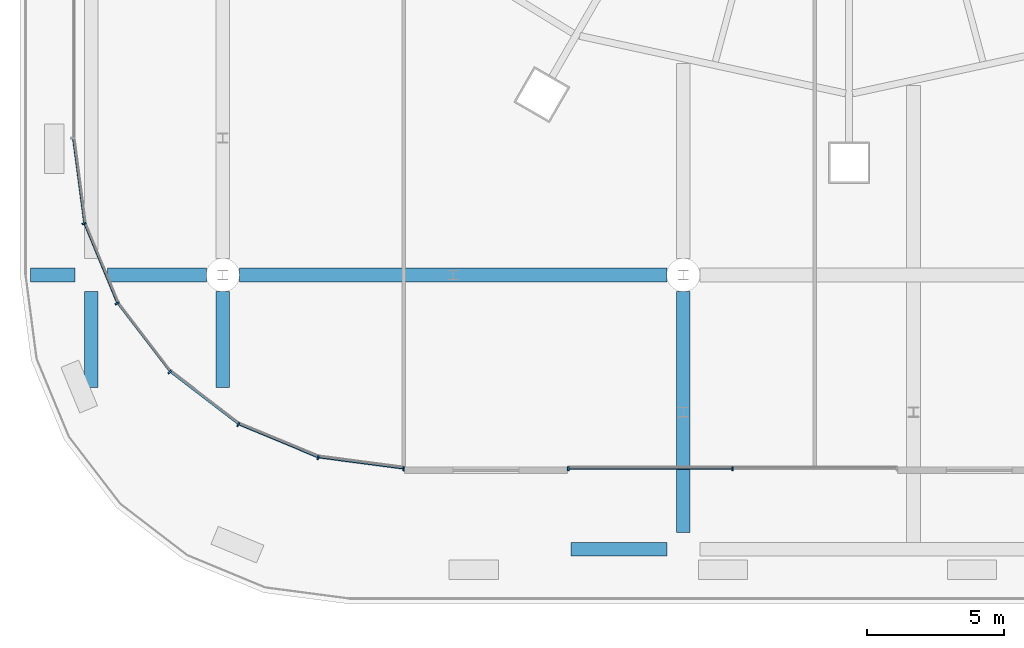
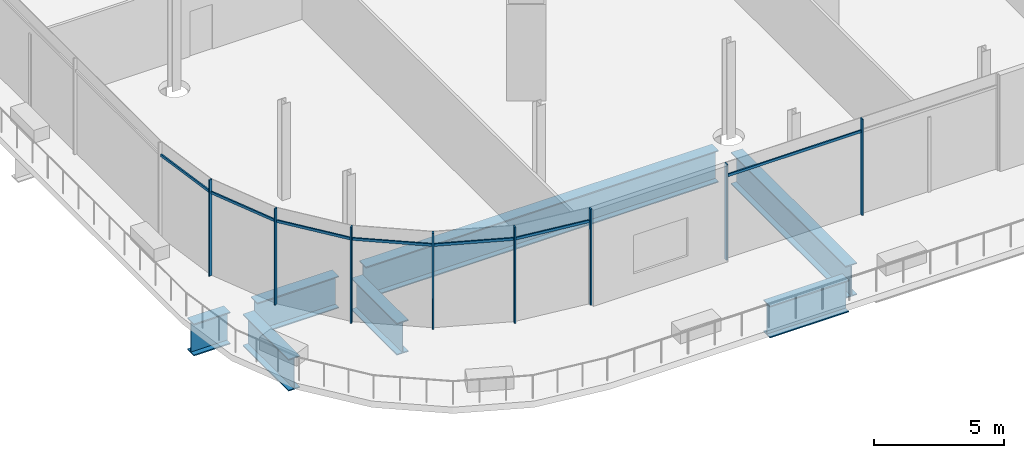
# One storey, part 11 of 56: 15 members, 7 beams, 1 element without a shape of its own.
"""IFC4 building model written with IfcOpenShell, lengths in metres."""

from ifc_helpers import new_model, si_unit, direction, frame, origin, origin_2d, place, context, subcontext, project, spatial, rectangle, i_section, extrude, material, material_profile, profile_set, type_object, element, aggregate, save


model = new_model("IFC4")

# Units and contexts
model_context = context("Model", 3, precision=1e-05, world=origin(), true_north=direction((0.0, 1.0)))
body_context = subcontext(model_context, "Body", "Model", "MODEL_VIEW")
ifc_project = project(units=[si_unit("LENGTHUNIT", "METRE"), si_unit("AREAUNIT", "SQUARE_METRE"), si_unit("VOLUMEUNIT", "CUBIC_METRE"), si_unit("PLANEANGLEUNIT", "RADIAN"), si_unit("MASSUNIT", "GRAM", prefix="KILO")], contexts=[model_context])

# Site, building, storey
site_placement = place(None, origin())
site = spatial("IfcSite", under=ifc_project, at=site_placement, CompositionType="ELEMENT")
building_placement = place(site_placement, origin())
building = spatial("IfcBuilding", under=site, at=building_placement, Name="Rimbun Link Towers", CompositionType="ELEMENT")
storey_placement = place(building_placement, frame((0.0, 0.0, 16.5)))
storey = spatial("IfcBuildingStorey", under=building, at=storey_placement, Name="L03", CompositionType="ELEMENT", Elevation=16.5)

# Curtain wall, members
ifc_material_1 = material(Name="Aluminium 6063-T6 and low-iron glass", Category="aluminium")
curtain_wall_type = type_object("IfcCurtainWallType", Name="CW3 podium shopfront", PredefinedType="NOTDEFINED", material=ifc_material_1)
curtain_wall_placement = place(storey_placement, origin())
curtain_wall = element("IfcCurtainWall", 1, at=curtain_wall_placement, inside=storey, type_object=curtain_wall_type, Name="CW3 L03 PD", PredefinedType="NOTDEFINED")
ifc_material_2 = material(Name="Aluminium 6063-T6", Category="aluminium")
ifc_material_profile_1 = material_profile(ifc_material_2, rectangle(XDim=0.14990234375, YDim=0.06005859375, at=origin_2d()), Name="MULLION 60X150")
ifc_profile_set_1 = profile_set([ifc_material_profile_1], Name="Aluminium 6063-T6")
member_type_1 = type_object("IfcMemberType", Name="CW3 mullion 60X150", PredefinedType="MULLION", material=ifc_profile_set_1)
member_1_placement = place(storey_placement, frame((-59.66357421875, -24.125244140625, 0.0), z_axis=(0.0, 0.0, 1.0), x_axis=(-0.965925910978, -0.258818729038, 0.0)))
member_1 = element("IfcMember", 2, at=member_1_placement, type_object=member_type_1, Name="CW3 mullion", PredefinedType="MULLION", context=body_context, shape_type="SweptSolid", body=[
    extrude(rectangle(XDim=0.14990234375, YDim=0.06005859375, at=origin_2d()), origin(), (0.0, 0.0, 1.0), 4.5),
])
member_2_placement = place(storey_placement, frame((-58.457275390625, -27.03759765625, 0.0), z_axis=(0.0, 0.0, 1.0), x_axis=(-0.866029040155, -0.499993701568, 0.0)))
member_2 = element("IfcMember", 3, at=member_2_placement, type_object=member_type_1, Name="CW3 mullion", PredefinedType="MULLION", context=body_context, shape_type="SweptSolid", body=[
    extrude(rectangle(XDim=0.14990234375, YDim=0.06005859375, at=origin_2d()), origin(), (0.0, 0.0, 1.0), 4.5),
])
member_3_placement = place(storey_placement, frame((-56.538330078125, -29.538330078125, 0.0), z_axis=(0.0, 0.0, 1.0), x_axis=(-0.707106781187, -0.707106781187, 0.0)))
member_3 = element("IfcMember", 4, at=member_3_placement, type_object=member_type_1, Name="CW3 mullion", PredefinedType="MULLION", context=body_context, shape_type="SweptSolid", body=[
    extrude(rectangle(XDim=0.14990234375, YDim=0.06005859375, at=origin_2d()), origin(), (0.0, 0.0, 1.0), 4.5),
])
member_4_placement = place(storey_placement, frame((-54.03759765625, -31.457275390625, 0.0), z_axis=(0.0, 0.0, 1.0), x_axis=(-0.499993701568, -0.866029040155, 0.0)))
member_4 = element("IfcMember", 5, at=member_4_placement, type_object=member_type_1, Name="CW3 mullion", PredefinedType="MULLION", context=body_context, shape_type="SweptSolid", body=[
    extrude(rectangle(XDim=0.14990234375, YDim=0.06005859375, at=origin_2d()), origin(), (0.0, 0.0, 1.0), 4.5),
])
member_5_placement = place(storey_placement, frame((-51.125244140625, -32.66357421875, 0.0), z_axis=(0.0, 0.0, 1.0), x_axis=(-0.258818729038, -0.965925910978, 0.0)))
member_5 = element("IfcMember", 6, at=member_5_placement, type_object=member_type_1, Name="CW3 mullion", PredefinedType="MULLION", context=body_context, shape_type="SweptSolid", body=[
    extrude(rectangle(XDim=0.14990234375, YDim=0.06005859375, at=origin_2d()), origin(), (0.0, 0.0, 1.0), 4.5),
])
member_6_placement = place(storey_placement, frame((-48.0048828125, -33.074951171875, 0.0), z_axis=(0.0, 0.0, 1.0), x_axis=(-0.065405288299, -0.997858781723, 0.0)))
member_6 = element("IfcMember", 7, at=member_6_placement, type_object=member_type_1, Name="CW3 mullion", PredefinedType="MULLION", context=body_context, shape_type="SweptSolid", body=[
    extrude(rectangle(XDim=0.14990234375, YDim=0.06005859375, at=origin_2d()), origin(), (0.0, 0.0, 1.0), 4.5),
])
member_7_placement = place(storey_placement, frame((-42.0, -33.074951171875, 0.0), z_axis=(0.0, 0.0, 1.0), x_axis=(0.0, -1.0, 0.0)))
member_7 = element("IfcMember", 8, at=member_7_placement, type_object=member_type_1, Name="CW3 mullion", PredefinedType="MULLION", context=body_context, shape_type="SweptSolid", body=[
    extrude(rectangle(XDim=0.14990234375, YDim=0.06005859375, at=origin_2d()), origin(), (0.0, 0.0, 1.0), 4.5),
])
member_8_placement = place(storey_placement, frame((-36.0, -33.074951171875, 0.0), z_axis=(0.0, 0.0, 1.0), x_axis=(0.0, -1.0, 0.0)))
member_8 = element("IfcMember", 9, at=member_8_placement, type_object=member_type_1, Name="CW3 mullion", PredefinedType="MULLION", context=body_context, shape_type="SweptSolid", body=[
    extrude(rectangle(XDim=0.14990234375, YDim=0.06005859375, at=origin_2d()), origin(), (0.0, 0.0, 1.0), 4.5),
])
ifc_material_3 = material(Name="Aluminium 6063-T6", Category="aluminium")
ifc_material_profile_2 = material_profile(ifc_material_3, rectangle(XDim=0.06005859375, YDim=0.1201171875, at=origin_2d()), Name="TRANSOM 60X120")
ifc_profile_set_2 = profile_set([ifc_material_profile_2], Name="Aluminium 6063-T6")
member_type_2 = type_object("IfcMemberType", Name="CW3 transom 60X120", PredefinedType="USERDEFINED", material=ifc_profile_set_2)
member_9_placement = place(storey_placement, frame((-59.6484375, -24.0830078125, 3.89990234375), z_axis=(-0.130555231638, 0.991441037829, 0.0), x_axis=(-0.991441037829, -0.130555231638, 0.0)))
member_9 = element("IfcMember", 10, at=member_9_placement, type_object=member_type_2, Name="CW3 transom", ObjectType="TRANSOM", PredefinedType="USERDEFINED", context=body_context, shape_type="SweptSolid", body=[
    extrude(rectangle(XDim=0.06005859375, YDim=0.1201171875, at=origin_2d()), origin(), (0.0, 0.0, 1.0), 3.072509765625),
])
member_10_placement = place(storey_placement, frame((-58.45361328125, -26.992919921875, 3.89990234375), z_axis=(-0.382679289053, 0.923881248716, 0.0), x_axis=(-0.923881248716, -0.382679289053, 0.0)))
member_10 = element("IfcMember", 11, at=member_10_placement, type_object=member_type_2, Name="CW3 transom", ObjectType="TRANSOM", PredefinedType="USERDEFINED", context=body_context, shape_type="SweptSolid", body=[
    extrude(rectangle(XDim=0.06005859375, YDim=0.1201171875, at=origin_2d()), origin(), (0.0, 0.0, 1.0), 3.072509765625),
])
member_11_placement = place(storey_placement, frame((-56.54638671875, -29.494384765625, 3.89990234375), z_axis=(-0.608773432314, 0.793344129687, 0.0), x_axis=(-0.793344129687, -0.608773432314, 0.0)))
member_11 = element("IfcMember", 12, at=member_11_placement, type_object=member_type_2, Name="CW3 transom", ObjectType="TRANSOM", PredefinedType="USERDEFINED", context=body_context, shape_type="SweptSolid", body=[
    extrude(rectangle(XDim=0.06005859375, YDim=0.1201171875, at=origin_2d()), origin(), (0.0, 0.0, 1.0), 3.07275390625),
])
member_12_placement = place(storey_placement, frame((-54.056640625, -31.4169921875, 3.89990234375), z_axis=(-0.793344129687, 0.608773432314, 0.0), x_axis=(-0.608773432314, -0.793344129687, 0.0)))
member_12 = element("IfcMember", 13, at=member_12_placement, type_object=member_type_2, Name="CW3 transom", ObjectType="TRANSOM", PredefinedType="USERDEFINED", context=body_context, shape_type="SweptSolid", body=[
    extrude(rectangle(XDim=0.06005859375, YDim=0.1201171875, at=origin_2d()), origin(), (0.0, 0.0, 1.0), 3.07275390625),
])
member_13_placement = place(storey_placement, frame((-51.154296875, -32.62939453125, 3.89990234375), z_axis=(-0.923881248716, 0.382679289053, 0.0), x_axis=(-0.382679289053, -0.923881248716, 0.0)))
member_13 = element("IfcMember", 14, at=member_13_placement, type_object=member_type_2, Name="CW3 transom", ObjectType="TRANSOM", PredefinedType="USERDEFINED", context=body_context, shape_type="SweptSolid", body=[
    extrude(rectangle(XDim=0.06005859375, YDim=0.1201171875, at=origin_2d()), origin(), (0.0, 0.0, 1.0), 3.072509765625),
])
member_14_placement = place(storey_placement, frame((-48.036865234375, -33.049560546875, 3.89990234375), z_axis=(-0.991441037829, 0.130555231638, 0.0), x_axis=(-0.130555231638, -0.991441037829, 0.0)))
member_14 = element("IfcMember", 15, at=member_14_placement, type_object=member_type_2, Name="CW3 transom", ObjectType="TRANSOM", PredefinedType="USERDEFINED", context=body_context, shape_type="SweptSolid", body=[
    extrude(rectangle(XDim=0.06005859375, YDim=0.1201171875, at=origin_2d()), origin(), (0.0, 0.0, 1.0), 3.072509765625),
])
member_15_placement = place(storey_placement, frame((-36.030029296875, -33.053955078125, 3.89990234375), z_axis=(-1.0, 0.0, 0.0), x_axis=(0.0, -1.0, 0.0)))
member_15 = element("IfcMember", 16, at=member_15_placement, type_object=member_type_2, Name="CW3 transom", ObjectType="TRANSOM", PredefinedType="USERDEFINED", context=body_context, shape_type="SweptSolid", body=[
    extrude(rectangle(XDim=0.06005859375, YDim=0.1201171875, at=origin_2d()), origin(), (0.0, 0.0, 1.0), 5.93994140625),
])
aggregate(curtain_wall, [member_1, member_2, member_3, member_4, member_5, member_6, member_7, member_8, member_9, member_10, member_11, member_12, member_13, member_14, member_15])

# Beams
ifc_material_4 = material(Name="Steel S355J2", Category="steel")
ifc_material_profile_3 = material_profile(ifc_material_4, i_section(OverallWidth=0.5, OverallDepth=1.5, WebThickness=0.030029296875, FlangeThickness=0.050048828125, at=origin_2d()), Name="PG 1500x500x30/50")
ifc_profile_set_3 = profile_set([ifc_material_profile_3], Name="Steel S355J2")
beam_type = type_object("IfcBeamType", Name="PG 1500x500x30/50", PredefinedType="BEAM", material=ifc_profile_set_3)
beam_1_placement = place(storey_placement, frame((-41.89990234375, -36.0, -1.050048828125), z_axis=(1.0, 0.0, 0.0), x_axis=(0.0, 1.0, 0.0)))
element("IfcBeam", 17, at=beam_1_placement, inside=storey, type_object=beam_type, Name="Grid beam L03 -36.0", PredefinedType="BEAM", context=body_context, shape_type="SweptSolid", body=[
    extrude(i_section(OverallWidth=0.5, OverallDepth=1.5, WebThickness=0.030029296875, FlangeThickness=0.050048828125, at=origin_2d()), origin(), (0.0, 0.0, 1.0), 3.5),
])
beam_2_placement = place(storey_placement, frame((-61.613037109375, -26.0, -1.050048828125), z_axis=(1.0, 0.0, 0.0), x_axis=(0.0, 1.0, 0.0)))
element("IfcBeam", 18, at=beam_2_placement, inside=storey, type_object=beam_type, Name="Grid beam L03 -26.0", PredefinedType="BEAM", context=body_context, shape_type="SweptSolid", body=[
    extrude(i_section(OverallWidth=0.5, OverallDepth=1.5, WebThickness=0.030029296875, FlangeThickness=0.050048828125, at=origin_2d()), origin(), (0.0, 0.0, 1.0), 1.613037109375),
])
beam_3_placement = place(storey_placement, frame((-58.800048828125, -26.0, -1.050048828125), z_axis=(1.0, 0.0, 0.0), x_axis=(0.0, 1.0, 0.0)))
element("IfcBeam", 19, at=beam_3_placement, inside=storey, type_object=beam_type, Name="Grid beam L03 -26.0", PredefinedType="BEAM", context=body_context, shape_type="SweptSolid", body=[
    extrude(i_section(OverallWidth=0.5, OverallDepth=1.5, WebThickness=0.030029296875, FlangeThickness=0.050048828125, at=origin_2d()), origin(), (0.0, 0.0, 1.0), 3.60009765625),
])
beam_4_placement = place(storey_placement, frame((-54.0, -26.0, -1.050048828125), z_axis=(1.0, 0.0, 0.0), x_axis=(0.0, 1.0, 0.0)))
element("IfcBeam", 20, at=beam_4_placement, inside=storey, type_object=beam_type, Name="Grid beam L03 -26.0", PredefinedType="BEAM", context=body_context, shape_type="SweptSolid", body=[
    extrude(i_section(OverallWidth=0.5, OverallDepth=1.5, WebThickness=0.030029296875, FlangeThickness=0.050048828125, at=origin_2d()), origin(), (0.0, 0.0, 1.0), 15.60009765625),
])
for number, where, z_axis, x_axis, name in (
    (21, (-59.39990234375, -30.10009765625, -1.050048828125), (0.0, 1.0, 0.0), (-1.0, 0.0, 0.0), "Grid beam L03 -59.4"),
    (22, (-54.60009765625, -30.10009765625, -1.050048828125), (0.0, 1.0, 0.0), (-1.0, 0.0, 0.0), "Grid beam L03 -54.6"),
):
    element("IfcBeam", number, at=place(storey_placement, frame(where, z_axis=z_axis, x_axis=x_axis)), inside=storey, type_object=beam_type, Name=name, PredefinedType="BEAM", context=body_context, shape_type="SweptSolid", body=[
        extrude(i_section(OverallWidth=0.5, OverallDepth=1.5, WebThickness=0.030029296875, FlangeThickness=0.050048828125, at=origin_2d()), origin(), (0.0, 0.0, 1.0), 3.5),
    ])
beam_5_placement = place(storey_placement, frame((-37.800048828125, -35.39990234375, -1.050048828125), z_axis=(0.0, 1.0, 0.0), x_axis=(-1.0, 0.0, 0.0)))
element("IfcBeam", 23, at=beam_5_placement, inside=storey, type_object=beam_type, Name="Grid beam L03 -37.8", PredefinedType="BEAM", context=body_context, shape_type="SweptSolid", body=[
    extrude(i_section(OverallWidth=0.5, OverallDepth=1.5, WebThickness=0.030029296875, FlangeThickness=0.050048828125, at=origin_2d()), origin(), (0.0, 0.0, 1.0), 8.7998046875),
])

save(model, "model.ifc")
